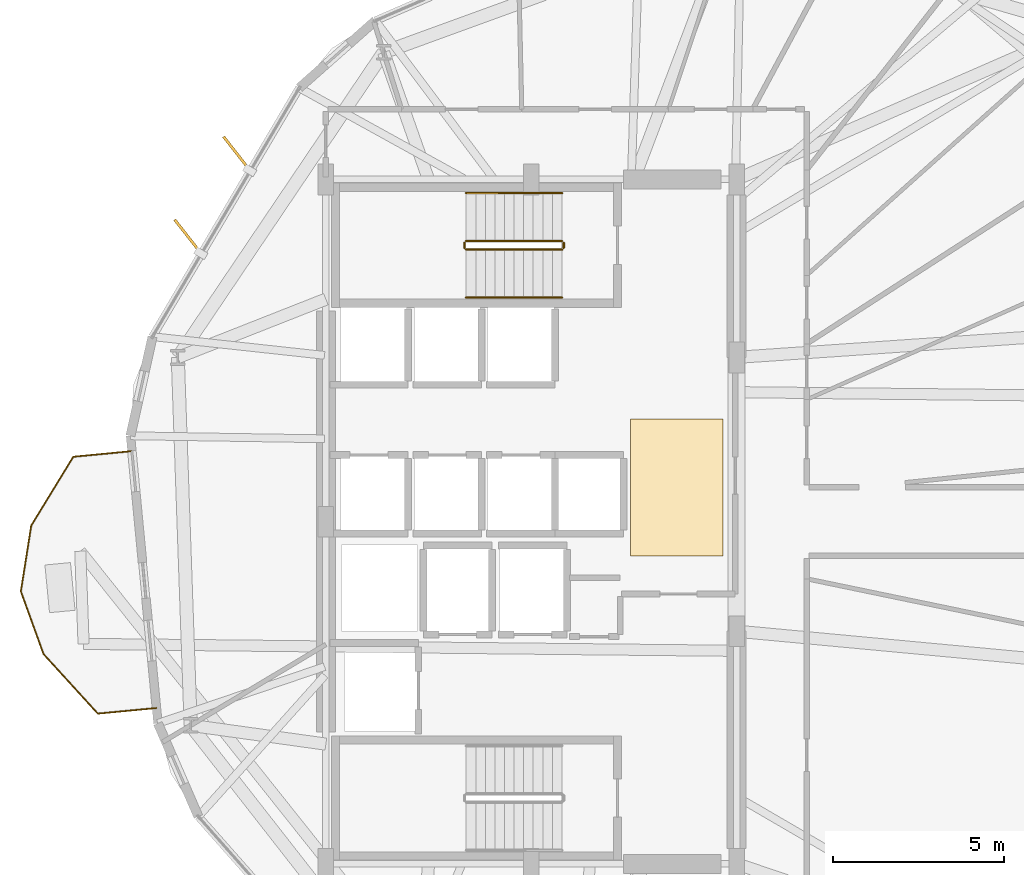
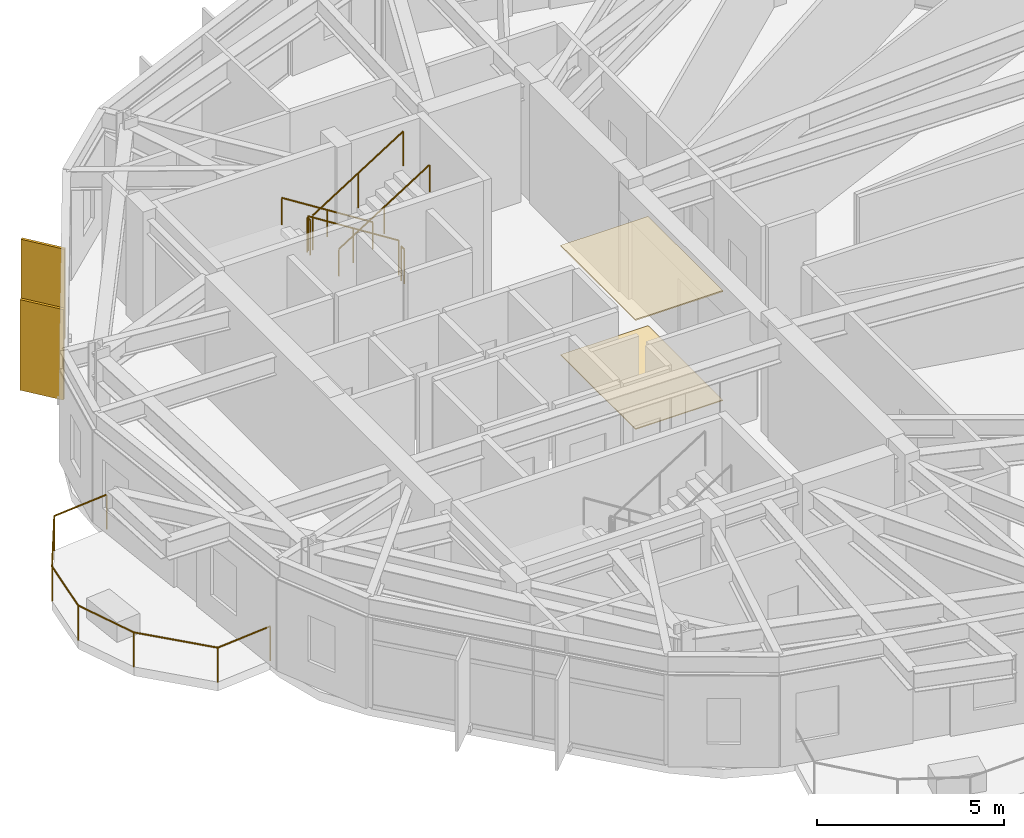
# One storey, part 22 of 23: 7 railings, 2 coverings, 2 shading devices.
"""IFC4 building model written with IfcOpenShell, lengths in metres."""

from ifc_helpers import new_model, si_unit, direction, frame, origin, origin_2d, place, context, subcontext, project, spatial, polyline, rectangle, circle, outline, extrude, material, layer, layer_set, type_object, element, save


model = new_model("IFC4")

# Units and contexts
model_context = context("Model", 3, precision=1e-05, world=origin(), true_north=direction((0.0, 1.0)))
body_context = subcontext(model_context, "Body", "Model", "MODEL_VIEW")
ifc_project = project(units=[si_unit("LENGTHUNIT", "METRE"), si_unit("AREAUNIT", "SQUARE_METRE"), si_unit("VOLUMEUNIT", "CUBIC_METRE"), si_unit("PLANEANGLEUNIT", "RADIAN"), si_unit("MASSUNIT", "GRAM", prefix="KILO")], contexts=[model_context])

# Site, building, storey
site_placement = place(None, origin())
site = spatial("IfcSite", under=ifc_project, at=site_placement, CompositionType="ELEMENT")
building_placement = place(site_placement, origin())
building = spatial("IfcBuilding", under=site, at=building_placement, Name="Soratama Intermodal Tower", CompositionType="ELEMENT")
storey_placement = place(building_placement, frame((0.0, 0.0, 118.60009765625)))
storey = spatial("IfcBuildingStorey", under=building, at=storey_placement, Name="L28", CompositionType="ELEMENT", Elevation=118.60009765625)

# Coverings
ifc_material_1 = material(Name="Perforated mineral acoustic ceiling", Category="concrete")
ifc_layer_1 = layer(ifc_material_1, 0.0400390625)
ifc_layer_set_1 = layer_set([ifc_layer_1], Name="Perforated mineral acoustic ceiling")
covering_type_1 = type_object("IfcCoveringType", Name="CV-CEIL-ACOUSTIC", PredefinedType="CEILING", material=ifc_layer_set_1)
covering_1_placement = place(storey_placement, frame((0.0, 0.0, 3.559814453125)))
element("IfcCovering", 1, at=covering_1_placement, inside=storey, type_object=covering_type_1, Name="L28 Acoustic Ceiling", PredefinedType="CEILING", context=body_context, shape_type="SweptSolid", body=[
    extrude(outline(polyline([(41.5, 24.0), (44.199951171875, 24.0), (44.199951171875, 28.0), (41.5, 28.0), (41.5, 24.0)])), origin(), (0.0, 0.0, 1.0), 0.0400390625),
])
ifc_material_2 = material(Name="Polished Andean stone terrazzo flooring", Category="masonry")
ifc_layer_2 = layer(ifc_material_2, 0.030029296875)
ifc_layer_set_2 = layer_set([ifc_layer_2], Name="Polished Andean stone terrazzo flooring")
covering_type_2 = type_object("IfcCoveringType", Name="CV-FLOR-TERRAZZO", PredefinedType="FLOORING", material=ifc_layer_set_2)
covering_2_placement = place(storey_placement, origin())
element("IfcCovering", 2, at=covering_2_placement, inside=storey, type_object=covering_type_2, Name="L28 Lobby Terrazzo Flooring", PredefinedType="FLOORING", context=body_context, shape_type="SweptSolid", body=[
    extrude(outline(polyline([(41.5, 24.0), (44.199951171875, 24.0), (44.199951171875, 28.0), (41.5, 28.0), (41.5, 24.0)])), origin(), (0.0, 0.0, 1.0), 0.02978515625),
])

# Railings
ifc_material_3 = material(Name="Laminated glass and stainless steel balustrade", Category="steel")
railing_type_1 = type_object("IfcRailingType", Name="RL-BAL-1150", PredefinedType="BALUSTRADE", material=ifc_material_3)
railing_1_placement = place(storey_placement, frame((27.649658203125, 19.5537109375, 0.0)))
element("IfcRailing", 3, at=railing_1_placement, inside=storey, type_object=railing_type_1, Name="L28 Balcony Balustrade 2", PredefinedType="BALUSTRADE", context=body_context, shape_type="SweptSolid", body=[
    extrude(circle(Radius=0.02392578125, at=origin_2d()), frame((0.0, 0.0, 1.1259765625), z_axis=(-0.99546735874, -0.095103825803, 0.0), x_axis=(0.095103825803, -0.99546735874, 0.0)), (0.0, 0.0, 1.0), 1.719970703125),
    extrude(circle(Radius=0.02392578125, at=origin_2d()), frame((-1.712158203125, -0.16357421875, 1.1259765625), z_axis=(-0.673728906345, 0.738978592894, 0.0), x_axis=(-0.738978592894, -0.673728906345, 0.0)), (0.0, 0.0, 1.0), 2.357177734375),
    extrude(circle(Radius=0.02392578125, at=origin_2d()), frame((-3.30029296875, 1.578369140625, 1.1259765625), z_axis=(-0.340091251675, 0.940392439641, 0.0), x_axis=(-0.940392439641, -0.340091251675, 0.0)), (0.0, 0.0, 1.0), 1.94677734375),
    extrude(circle(Radius=0.02392578125, at=origin_2d()), frame((-3.96240234375, 3.4091796875, 1.1259765625), z_axis=(0.155769358724, 0.987793453553, 0.0), x_axis=(-0.987793453553, 0.155769358724, 0.0)), (0.0, 0.0, 1.0), 1.946533203125),
    extrude(circle(Radius=0.02392578125, at=origin_2d()), frame((-3.6591796875, 5.33203125, 1.1259765625), z_axis=(0.521529597338, 0.853233191514, 0.0), x_axis=(-0.853233191514, 0.521529597338, 0.0)), (0.0, 0.0, 1.0), 2.357421875),
    extrude(circle(Radius=0.02392578125, at=origin_2d()), frame((-2.4296875, 7.343505859375, 1.1259765625), z_axis=(0.99546735874, 0.095103825803, 0.0), x_axis=(-0.095103825803, 0.99546735874, 0.0)), (0.0, 0.0, 1.0), 1.719970703125),
    extrude(circle(Radius=0.02099609375, at=origin_2d()), origin(), (0.0, 0.0, 1.0), 1.101806640625),
    extrude(circle(Radius=0.02099609375, at=origin_2d()), frame((-1.712158203125, -0.16357421875, 0.0)), (0.0, 0.0, 1.0), 1.101806640625),
    extrude(circle(Radius=0.02099609375, at=origin_2d()), frame((-3.30029296875, 1.578369140625, 0.0)), (0.0, 0.0, 1.0), 1.101806640625),
    extrude(circle(Radius=0.02099609375, at=origin_2d()), frame((-3.96240234375, 3.4091796875, 0.0)), (0.0, 0.0, 1.0), 1.101806640625),
    extrude(circle(Radius=0.02099609375, at=origin_2d()), frame((-3.6591796875, 5.33203125, 0.0)), (0.0, 0.0, 1.0), 1.101806640625),
    extrude(circle(Radius=0.02099609375, at=origin_2d()), frame((-2.4296875, 7.343505859375, 0.0)), (0.0, 0.0, 1.0), 1.101806640625),
    extrude(circle(Radius=0.02099609375, at=origin_2d()), frame((-0.717529296875, 7.507080078125, 0.0)), (0.0, 0.0, 1.0), 1.101806640625),
])
ifc_material_4 = material(Name="Painted steel stair guardrail", Category="steel")
railing_type_2 = type_object("IfcRailingType", Name="RL-STAIR-GUARD", PredefinedType="GUARDRAIL", material=ifc_material_4)
railing_2_placement = place(storey_placement, frame((39.5, 33.199951171875, 0.17724609375)))
element("IfcRailing", 4, at=railing_2_placement, inside=storey, type_object=railing_type_2, Name="L28 ST-2 stair guard 1", PredefinedType="GUARDRAIL", context=body_context, shape_type="SweptSolid", body=[
    extrude(circle(Radius=0.02392578125, at=origin_2d()), frame((0.0, 0.0, 1.1259765625), z_axis=(-0.844908973607, 0.0, 0.534910110503), x_axis=(0.0, -1.0, 0.0)), (0.0, 0.0, 1.0), 3.31396484375),
    extrude(circle(Radius=0.02099609375, at=origin_2d()), origin(), (0.0, 0.0, 1.0), 1.101806640625),
    extrude(circle(Radius=0.02099609375, at=origin_2d()), frame((-1.39990234375, 0.0, 0.88623046875)), (0.0, 0.0, 1.0), 1.101806640625),
    extrude(circle(Radius=0.02099609375, at=origin_2d()), frame((-2.800048828125, 0.0, 1.772705078125)), (0.0, 0.0, 1.0), 1.101806640625),
])
railing_3_placement = place(storey_placement, frame((36.64990234375, 33.14990234375, 1.949951171875)))
element("IfcRailing", 5, at=railing_3_placement, inside=storey, type_object=railing_type_2, Name="L28 ST-2 stair guard 2", PredefinedType="GUARDRAIL", context=body_context, shape_type="SweptSolid", body=[
    extrude(circle(Radius=0.02392578125, at=origin_2d()), frame((0.0, 0.0, 1.1259765625), z_axis=(0.0, -1.0, 0.0), x_axis=(1.0, 0.0, 0.0)), (0.0, 0.0, 1.0), 0.14990234375),
    extrude(circle(Radius=0.02099609375, at=origin_2d()), origin(), (0.0, 0.0, 1.0), 1.101806640625),
    extrude(circle(Radius=0.02099609375, at=origin_2d()), frame((0.0, -0.14990234375, 0.0)), (0.0, 0.0, 1.0), 1.101806640625),
])
railing_4_placement = place(storey_placement, frame((36.699951171875, 32.949951171875, 2.127197265625)))
element("IfcRailing", 6, at=railing_4_placement, inside=storey, type_object=railing_type_2, Name="L28 ST-2 stair guard 3", PredefinedType="GUARDRAIL", context=body_context, shape_type="SweptSolid", body=[
    extrude(circle(Radius=0.02392578125, at=origin_2d()), frame((0.0, 0.0, 1.1259765625), z_axis=(0.844908973607, 0.0, 0.534910110503), x_axis=(0.0, 1.0, 0.0)), (0.0, 0.0, 1.0), 3.31396484375),
    extrude(circle(Radius=0.02099609375, at=origin_2d()), origin(), (0.0, 0.0, 1.0), 1.101806640625),
    extrude(circle(Radius=0.02099609375, at=origin_2d()), frame((1.39990234375, 0.0, 0.88623046875)), (0.0, 0.0, 1.0), 1.101806640625),
    extrude(circle(Radius=0.02099609375, at=origin_2d()), frame((2.800048828125, 0.0, 1.772705078125)), (0.0, 0.0, 1.0), 1.101806640625),
])
railing_5_placement = place(storey_placement, frame((39.550048828125, 33.14990234375, 0.0)))
element("IfcRailing", 7, at=railing_5_placement, inside=storey, type_object=railing_type_2, Name="L28 ST-2 stair guard 4", PredefinedType="GUARDRAIL", context=body_context, shape_type="SweptSolid", body=[
    extrude(circle(Radius=0.02392578125, at=origin_2d()), frame((0.0, 0.0, 1.1259765625), z_axis=(0.0, -1.0, 0.0), x_axis=(1.0, 0.0, 0.0)), (0.0, 0.0, 1.0), 0.14990234375),
    extrude(circle(Radius=0.02099609375, at=origin_2d()), origin(), (0.0, 0.0, 1.0), 1.101806640625),
    extrude(circle(Radius=0.02099609375, at=origin_2d()), frame((0.0, -0.14990234375, 0.0)), (0.0, 0.0, 1.0), 1.101806640625),
])
ifc_material_5 = material(Name="Brushed stainless steel handrail", Category="steel")
railing_type_3 = type_object("IfcRailingType", Name="RL-STAIR-HAND", PredefinedType="HANDRAIL", material=ifc_material_5)
railing_6_placement = place(storey_placement, frame((39.5, 34.60009765625, 0.17724609375)))
element("IfcRailing", 8, at=railing_6_placement, inside=storey, type_object=railing_type_3, Name="L28 ST-2 stair handrail 1", PredefinedType="HANDRAIL", context=body_context, shape_type="SweptSolid", body=[
    extrude(circle(Radius=0.02392578125, at=origin_2d()), frame((0.0, 0.0, 0.8759765625), z_axis=(-0.844908973607, 0.0, 0.534910110503), x_axis=(0.0, -1.0, 0.0)), (0.0, 0.0, 1.0), 3.31396484375),
    extrude(circle(Radius=0.02099609375, at=origin_2d()), origin(), (0.0, 0.0, 1.0), 0.851806640625),
    extrude(circle(Radius=0.02099609375, at=origin_2d()), frame((-1.39990234375, 0.0, 0.88623046875)), (0.0, 0.0, 1.0), 0.851806640625),
    extrude(circle(Radius=0.02099609375, at=origin_2d()), frame((-2.800048828125, 0.0, 1.772705078125)), (0.0, 0.0, 1.0), 0.851806640625),
])
railing_7_placement = place(storey_placement, frame((36.699951171875, 31.550048828125, 2.127197265625)))
element("IfcRailing", 9, at=railing_7_placement, inside=storey, type_object=railing_type_3, Name="L28 ST-2 stair handrail 2", PredefinedType="HANDRAIL", context=body_context, shape_type="SweptSolid", body=[
    extrude(circle(Radius=0.02392578125, at=origin_2d()), frame((0.0, 0.0, 0.8759765625), z_axis=(0.844908973607, 0.0, 0.534910110503), x_axis=(0.0, 1.0, 0.0)), (0.0, 0.0, 1.0), 3.31396484375),
    extrude(circle(Radius=0.02099609375, at=origin_2d()), origin(), (0.0, 0.0, 1.0), 0.851806640625),
    extrude(circle(Radius=0.02099609375, at=origin_2d()), frame((1.39990234375, 0.0, 0.88623046875)), (0.0, 0.0, 1.0), 0.851806640625),
    extrude(circle(Radius=0.02099609375, at=origin_2d()), frame((2.800048828125, 0.0, 1.772705078125)), (0.0, 0.0, 1.0), 0.851806640625),
])

# Shading devices
ifc_material_6 = material(Name="Champagne anodised aluminium solar fin", Category="aluminium")
ifc_layer_3 = layer(ifc_material_6, 0.080078125)
ifc_layer_set_3 = layer_set([ifc_layer_3], Name="Champagne anodised aluminium solar fin")
shading_device_type = type_object("IfcShadingDeviceType", Name="SH-FIN-1250", PredefinedType="USERDEFINED", material=ifc_layer_set_3)
for number, where, z_axis, x_axis, name in (
    (10, (29.9951171875, 35.759033203125, 0.02001953125), (0.0, 0.0, 1.0), (-0.616761145412, 0.787150360167, 0.0), "L28 Solar Fin F04-1"),
    (11, (28.5654296875, 33.335693359375, 0.02001953125), (0.0, 0.0, 1.0), (-0.616761145412, 0.787150360167, 0.0), "L28 Solar Fin F04-2"),
):
    element("IfcShadingDevice", number, at=place(storey_placement, frame(where, z_axis=z_axis, x_axis=x_axis)), inside=storey, type_object=shading_device_type, Name=name, ObjectType="FIN", PredefinedType="USERDEFINED", context=body_context, shape_type="SweptSolid", body=[
        extrude(rectangle(XDim=1.25, YDim=0.080078125, at=origin_2d()), origin(), (0.0, 0.0, 1.0), 2.958984375),
    ])

save(model, "model.ifc")
